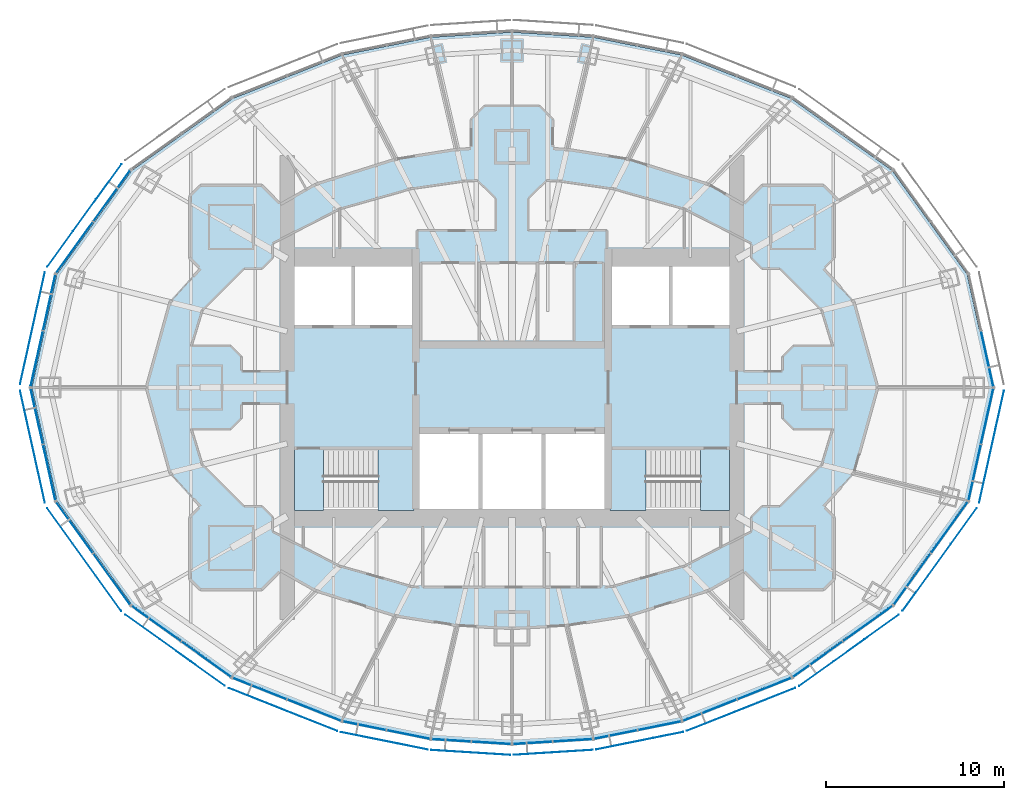
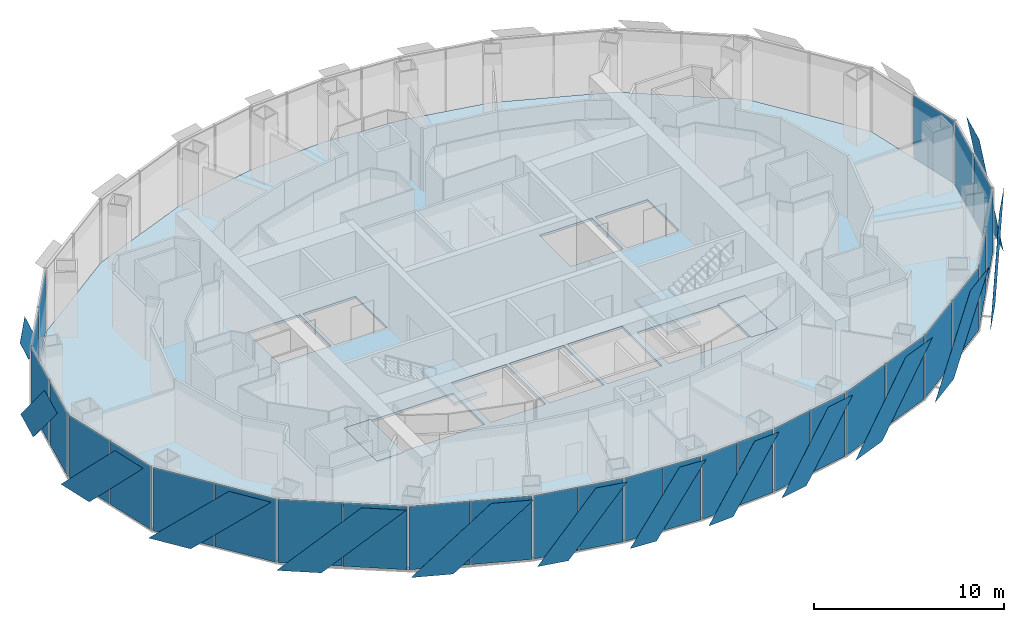
# One storey, part 10 of 18: 43 plates, 5 slabs, 17 elements without a shape of their own.
"""IFC4 building model written with IfcOpenShell, lengths in metres."""

from ifc_helpers import new_model, si_unit, direction, frame, origin, origin_2d, place, context, subcontext, project, spatial, polyline, rectangle, outline, extrude, material, layer, layer_set, type_object, element, aggregate, save


model = new_model("IFC4")

# Units and contexts
model_context = context("Model", 3, precision=1e-05, world=origin(), true_north=direction((0.0, 1.0)))
body_context = subcontext(model_context, "Body", "Model", "MODEL_VIEW")
ifc_project = project(units=[si_unit("LENGTHUNIT", "METRE"), si_unit("AREAUNIT", "SQUARE_METRE"), si_unit("VOLUMEUNIT", "CUBIC_METRE"), si_unit("PLANEANGLEUNIT", "RADIAN"), si_unit("MASSUNIT", "GRAM", prefix="KILO")], contexts=[model_context])

# Site, building, storey
site_placement = place(None, origin())
site = spatial("IfcSite", under=ifc_project, at=site_placement, CompositionType="ELEMENT")
building_placement = place(site_placement, origin())
building = spatial("IfcBuilding", under=site, at=building_placement, Name="Lantaw Convention Tower", CompositionType="ELEMENT")
storey_placement = place(building_placement, frame((0.0, 0.0, 236.800048828125)))
storey = spatial("IfcBuildingStorey", under=building, at=storey_placement, Name="L55", CompositionType="ELEMENT", Elevation=236.800048828125)

# Curtain wall, plate
ifc_material_1 = material(Name="Aluminium framed curtain wall", Category="aluminium")
curtain_wall_type = type_object("IfcCurtainWallType", Name="Office curtain wall high rise, pale aluminium", PredefinedType="USERDEFINED", material=ifc_material_1)
curtain_wall_1_placement = place(storey_placement, origin())
curtain_wall_1 = element("IfcCurtainWall", 1, at=curtain_wall_1_placement, inside=storey, type_object=curtain_wall_type, Name="Office curtain wall high rise, pale aluminium L55", ObjectType="UNITISED CURTAIN WALL", PredefinedType="USERDEFINED")
ifc_material_2 = material(Name="Clear insulating glass", Category="glass")
ifc_layer_1 = layer(ifc_material_2, 0.028076171875)
ifc_layer_set_1 = layer_set([ifc_layer_1], Name="CW-O2 panel 28")
plate_type_1 = type_object("IfcPlateType", Name="CW-O2 panel 28", PredefinedType="CURTAIN_PANEL", material=ifc_layer_set_1)
plate_1_placement = place(storey_placement, frame((26.643798828125, 1.61083984375, -0.0849609375), z_axis=(0.0, 0.0, 1.0), x_axis=(-0.215891333626, 0.976417396437, 0.0)))
plate_1 = element("IfcPlate", 2, at=plate_1_placement, type_object=plate_type_1, Name="CW-O2 panel 1.1", PredefinedType="CURTAIN_PANEL", context=body_context, shape_type="SweptSolid", body=[
    extrude(rectangle(XDim=3.169677734375, YDim=0.028076171875, at=origin_2d()), origin(), (0.0, 0.0, 1.0), 4.070068359375),
])
aggregate(curtain_wall_1, [plate_1])

# Curtain wall, plates
curtain_wall_2_placement = place(storey_placement, origin())
curtain_wall_2 = element("IfcCurtainWall", 3, at=curtain_wall_2_placement, inside=storey, type_object=curtain_wall_type, Name="Office curtain wall high rise, pale aluminium L55", ObjectType="UNITISED CURTAIN WALL", PredefinedType="USERDEFINED")
plate_2_placement = place(storey_placement, frame((-22.4404296875, 10.743896484375, -0.0849609375), z_axis=(0.0, 0.0, 1.0), x_axis=(-0.585157643865, -0.810919559405, 0.0)))
plate_2 = element("IfcPlate", 4, at=plate_2_placement, type_object=plate_type_1, Name="CW-O2 panel 1.1", PredefinedType="CURTAIN_PANEL", context=body_context, shape_type="SweptSolid", body=[
    extrude(rectangle(XDim=3.500732421875, YDim=0.028076171875, at=origin_2d()), origin(), (0.0, 0.0, 1.0), 4.070068359375),
])
plate_3_placement = place(storey_placement, frame((-24.527099609375, 7.852294921875, -0.0849609375), z_axis=(0.0, 0.0, 1.0), x_axis=(-0.585157643865, -0.810919559405, 0.0)))
plate_3 = element("IfcPlate", 5, at=plate_3_placement, type_object=plate_type_1, Name="CW-O2 panel 2.1", PredefinedType="CURTAIN_PANEL", context=body_context, shape_type="SweptSolid", body=[
    extrude(rectangle(XDim=3.500732421875, YDim=0.028076171875, at=origin_2d()), origin(), (0.0, 0.0, 1.0), 4.070068359375),
])
aggregate(curtain_wall_2, [plate_2, plate_3])

curtain_wall_3_placement = place(storey_placement, origin())
curtain_wall_3 = element("IfcCurtainWall", 6, at=curtain_wall_3_placement, inside=storey, type_object=curtain_wall_type, Name="Office curtain wall high rise, pale aluminium L55", ObjectType="UNITISED CURTAIN WALL", PredefinedType="USERDEFINED")
plate_4_placement = place(storey_placement, frame((-25.945556640625, 4.769287109375, -0.0849609375), z_axis=(0.0, 0.0, 1.0), x_axis=(-0.215891333626, -0.976417396437, 0.0)))
plate_4 = element("IfcPlate", 7, at=plate_4_placement, type_object=plate_type_1, Name="CW-O2 panel 1.1", PredefinedType="CURTAIN_PANEL", context=body_context, shape_type="SweptSolid", body=[
    extrude(rectangle(XDim=3.169677734375, YDim=0.028076171875, at=origin_2d()), origin(), (0.0, 0.0, 1.0), 4.070068359375),
])
plate_5_placement = place(storey_placement, frame((-26.643798828125, 1.61083984375, -0.0849609375), z_axis=(0.0, 0.0, 1.0), x_axis=(-0.215891333626, -0.976417396437, 0.0)))
plate_5 = element("IfcPlate", 8, at=plate_5_placement, type_object=plate_type_1, Name="CW-O2 panel 2.1", PredefinedType="CURTAIN_PANEL", context=body_context, shape_type="SweptSolid", body=[
    extrude(rectangle(XDim=3.169677734375, YDim=0.028076171875, at=origin_2d()), origin(), (0.0, 0.0, 1.0), 4.070068359375),
])
aggregate(curtain_wall_3, [plate_4, plate_5])

curtain_wall_4_placement = place(storey_placement, origin())
curtain_wall_4 = element("IfcCurtainWall", 9, at=curtain_wall_4_placement, inside=storey, type_object=curtain_wall_type, Name="Office curtain wall high rise, pale aluminium L55", ObjectType="UNITISED CURTAIN WALL", PredefinedType="USERDEFINED")
plate_6_placement = place(storey_placement, frame((-26.643798828125, -1.61083984375, -0.0849609375), z_axis=(0.0, 0.0, 1.0), x_axis=(0.215891333626, -0.976417396437, 0.0)))
plate_6 = element("IfcPlate", 10, at=plate_6_placement, type_object=plate_type_1, Name="CW-O2 panel 1.1", PredefinedType="CURTAIN_PANEL", context=body_context, shape_type="SweptSolid", body=[
    extrude(rectangle(XDim=3.169677734375, YDim=0.028076171875, at=origin_2d()), origin(), (0.0, 0.0, 1.0), 4.070068359375),
])
plate_7_placement = place(storey_placement, frame((-25.945556640625, -4.769287109375, -0.0849609375), z_axis=(0.0, 0.0, 1.0), x_axis=(0.215891333626, -0.976417396437, 0.0)))
plate_7 = element("IfcPlate", 11, at=plate_7_placement, type_object=plate_type_1, Name="CW-O2 panel 2.1", PredefinedType="CURTAIN_PANEL", context=body_context, shape_type="SweptSolid", body=[
    extrude(rectangle(XDim=3.169677734375, YDim=0.028076171875, at=origin_2d()), origin(), (0.0, 0.0, 1.0), 4.070068359375),
])
aggregate(curtain_wall_4, [plate_6, plate_7])

curtain_wall_5_placement = place(storey_placement, origin())
curtain_wall_5 = element("IfcCurtainWall", 12, at=curtain_wall_5_placement, inside=storey, type_object=curtain_wall_type, Name="Office curtain wall high rise, pale aluminium L55", ObjectType="UNITISED CURTAIN WALL", PredefinedType="USERDEFINED")
plate_8_placement = place(storey_placement, frame((-24.527099609375, -7.852294921875, -0.0849609375), z_axis=(0.0, 0.0, 1.0), x_axis=(0.585157643865, -0.810919559405, 0.0)))
plate_8 = element("IfcPlate", 13, at=plate_8_placement, type_object=plate_type_1, Name="CW-O2 panel 1.1", PredefinedType="CURTAIN_PANEL", context=body_context, shape_type="SweptSolid", body=[
    extrude(rectangle(XDim=3.500732421875, YDim=0.028076171875, at=origin_2d()), origin(), (0.0, 0.0, 1.0), 4.070068359375),
])
plate_9_placement = place(storey_placement, frame((-22.4404296875, -10.743896484375, -0.0849609375), z_axis=(0.0, 0.0, 1.0), x_axis=(0.585157643865, -0.810919559405, 0.0)))
plate_9 = element("IfcPlate", 14, at=plate_9_placement, type_object=plate_type_1, Name="CW-O2 panel 2.1", PredefinedType="CURTAIN_PANEL", context=body_context, shape_type="SweptSolid", body=[
    extrude(rectangle(XDim=3.500732421875, YDim=0.028076171875, at=origin_2d()), origin(), (0.0, 0.0, 1.0), 4.070068359375),
])
aggregate(curtain_wall_5, [plate_8, plate_9])

curtain_wall_6_placement = place(storey_placement, origin())
curtain_wall_6 = element("IfcCurtainWall", 15, at=curtain_wall_6_placement, inside=storey, type_object=curtain_wall_type, Name="Office curtain wall high rise, pale aluminium L55", ObjectType="UNITISED CURTAIN WALL", PredefinedType="USERDEFINED")
plate_10_placement = place(storey_placement, frame((-19.947509765625, -13.23828125, -0.0849609375), z_axis=(0.0, 0.0, 1.0), x_axis=(0.813672540482, -0.581323487281, 0.0)))
plate_10 = element("IfcPlate", 16, at=plate_10_placement, type_object=plate_type_1, Name="CW-O2 panel 1.1", PredefinedType="CURTAIN_PANEL", context=body_context, shape_type="SweptSolid", body=[
    extrude(rectangle(XDim=3.386474609375, YDim=0.028076171875, at=origin_2d()), origin(), (0.0, 0.0, 1.0), 4.070068359375),
])
plate_11_placement = place(storey_placement, frame((-17.13916015625, -15.24462890625, -0.0849609375), z_axis=(0.0, 0.0, 1.0), x_axis=(0.813672540482, -0.581323487281, 0.0)))
plate_11 = element("IfcPlate", 17, at=plate_11_placement, type_object=plate_type_1, Name="CW-O2 panel 2.1", PredefinedType="CURTAIN_PANEL", context=body_context, shape_type="SweptSolid", body=[
    extrude(rectangle(XDim=3.386474609375, YDim=0.028076171875, at=origin_2d()), origin(), (0.0, 0.0, 1.0), 4.070068359375),
])
aggregate(curtain_wall_6, [plate_10, plate_11])

curtain_wall_7_placement = place(storey_placement, origin())
curtain_wall_7 = element("IfcCurtainWall", 18, at=curtain_wall_7_placement, inside=storey, type_object=curtain_wall_type, Name="Office curtain wall high rise, pale aluminium L55", ObjectType="UNITISED CURTAIN WALL", PredefinedType="USERDEFINED")
plate_12_placement = place(storey_placement, frame((-14.14990234375, -16.8837890625, -0.0849609375), z_axis=(0.0, 0.0, 1.0), x_axis=(0.929761533743, -0.368162315252, 0.0)))
plate_12 = element("IfcPlate", 19, at=plate_12_placement, type_object=plate_type_1, Name="CW-O2 panel 1.1", PredefinedType="CURTAIN_PANEL", context=body_context, shape_type="SweptSolid", body=[
    extrude(rectangle(XDim=3.222900390625, YDim=0.028076171875, at=origin_2d()), origin(), (0.0, 0.0, 1.0), 4.070068359375),
])
plate_13_placement = place(storey_placement, frame((-11.0927734375, -18.094482421875, -0.0849609375), z_axis=(0.0, 0.0, 1.0), x_axis=(0.929761533743, -0.368162315252, 0.0)))
plate_13 = element("IfcPlate", 20, at=plate_13_placement, type_object=plate_type_1, Name="CW-O2 panel 2.1", PredefinedType="CURTAIN_PANEL", context=body_context, shape_type="SweptSolid", body=[
    extrude(rectangle(XDim=3.222900390625, YDim=0.028076171875, at=origin_2d()), origin(), (0.0, 0.0, 1.0), 4.070068359375),
])
aggregate(curtain_wall_7, [plate_12, plate_13])

curtain_wall_8_placement = place(storey_placement, origin())
curtain_wall_8 = element("IfcCurtainWall", 21, at=curtain_wall_8_placement, inside=storey, type_object=curtain_wall_type, Name="Office curtain wall high rise, pale aluminium L55", ObjectType="UNITISED CURTAIN WALL", PredefinedType="USERDEFINED")
plate_14_placement = place(storey_placement, frame((-8.2724609375, -18.96533203125, -0.0849609375), z_axis=(0.0, 0.0, 1.0), x_axis=(0.980366679695, -0.197183095987, 0.0)))
plate_14 = element("IfcPlate", 22, at=plate_14_placement, type_object=plate_type_1, Name="CW-O2 panel 1.1", PredefinedType="CURTAIN_PANEL", context=body_context, shape_type="SweptSolid", body=[
    extrude(rectangle(XDim=2.44384765625, YDim=0.028076171875, at=origin_2d()), origin(), (0.0, 0.0, 1.0), 4.070068359375),
])
plate_15_placement = place(storey_placement, frame((-5.81298828125, -19.4599609375, -0.0849609375), z_axis=(0.0, 0.0, 1.0), x_axis=(0.980366679695, -0.197183095987, 0.0)))
plate_15 = element("IfcPlate", 23, at=plate_15_placement, type_object=plate_type_1, Name="CW-O2 panel 2.1", PredefinedType="CURTAIN_PANEL", context=body_context, shape_type="SweptSolid", body=[
    extrude(rectangle(XDim=2.44384765625, YDim=0.028076171875, at=origin_2d()), origin(), (0.0, 0.0, 1.0), 4.070068359375),
])
aggregate(curtain_wall_8, [plate_14, plate_15])

curtain_wall_9_placement = place(storey_placement, origin())
curtain_wall_9 = element("IfcCurtainWall", 24, at=curtain_wall_9_placement, inside=storey, type_object=curtain_wall_type, Name="Office curtain wall high rise, pale aluminium L55", ObjectType="UNITISED CURTAIN WALL", PredefinedType="USERDEFINED")
plate_16_placement = place(storey_placement, frame((-3.397216796875, -19.786376953125, -0.0849609375), z_axis=(0.0, 0.0, 1.0), x_axis=(0.998028774865, -0.062757983884, 0.0)))
plate_16 = element("IfcPlate", 25, at=plate_16_placement, type_object=plate_type_1, Name="CW-O2 panel 1.1", PredefinedType="CURTAIN_PANEL", context=body_context, shape_type="SweptSolid", body=[
    extrude(rectangle(XDim=2.1826171875, YDim=0.028076171875, at=origin_2d()), origin(), (0.0, 0.0, 1.0), 4.070068359375),
])
plate_17_placement = place(storey_placement, frame((-1.154052734375, -19.927490234375, -0.0849609375), z_axis=(0.0, 0.0, 1.0), x_axis=(0.998028774865, -0.062757983884, 0.0)))
plate_17 = element("IfcPlate", 26, at=plate_17_placement, type_object=plate_type_1, Name="CW-O2 panel 2.1", PredefinedType="CURTAIN_PANEL", context=body_context, shape_type="SweptSolid", body=[
    extrude(rectangle(XDim=2.1826171875, YDim=0.028076171875, at=origin_2d()), origin(), (0.0, 0.0, 1.0), 4.070068359375),
])
aggregate(curtain_wall_9, [plate_16, plate_17])

curtain_wall_10_placement = place(storey_placement, origin())
curtain_wall_10 = element("IfcCurtainWall", 27, at=curtain_wall_10_placement, inside=storey, type_object=curtain_wall_type, Name="Office curtain wall high rise, pale aluminium L55", ObjectType="UNITISED CURTAIN WALL", PredefinedType="USERDEFINED")
plate_18_placement = place(storey_placement, frame((1.154052734375, -19.927490234375, -0.0849609375), z_axis=(0.0, 0.0, 1.0), x_axis=(0.998028774865, 0.062757983884, 0.0)))
plate_18 = element("IfcPlate", 28, at=plate_18_placement, type_object=plate_type_1, Name="CW-O2 panel 1.1", PredefinedType="CURTAIN_PANEL", context=body_context, shape_type="SweptSolid", body=[
    extrude(rectangle(XDim=2.1826171875, YDim=0.028076171875, at=origin_2d()), origin(), (0.0, 0.0, 1.0), 4.070068359375),
])
plate_19_placement = place(storey_placement, frame((3.397216796875, -19.786376953125, -0.0849609375), z_axis=(0.0, 0.0, 1.0), x_axis=(0.998028774865, 0.062757983884, 0.0)))
plate_19 = element("IfcPlate", 29, at=plate_19_placement, type_object=plate_type_1, Name="CW-O2 panel 2.1", PredefinedType="CURTAIN_PANEL", context=body_context, shape_type="SweptSolid", body=[
    extrude(rectangle(XDim=2.1826171875, YDim=0.028076171875, at=origin_2d()), origin(), (0.0, 0.0, 1.0), 4.070068359375),
])
aggregate(curtain_wall_10, [plate_18, plate_19])

curtain_wall_11_placement = place(storey_placement, origin())
curtain_wall_11 = element("IfcCurtainWall", 30, at=curtain_wall_11_placement, inside=storey, type_object=curtain_wall_type, Name="Office curtain wall high rise, pale aluminium L55", ObjectType="UNITISED CURTAIN WALL", PredefinedType="USERDEFINED")
plate_20_placement = place(storey_placement, frame((5.81298828125, -19.4599609375, -0.0849609375), z_axis=(0.0, 0.0, 1.0), x_axis=(0.980366679695, 0.197183095987, 0.0)))
plate_20 = element("IfcPlate", 31, at=plate_20_placement, type_object=plate_type_1, Name="CW-O2 panel 1.1", PredefinedType="CURTAIN_PANEL", context=body_context, shape_type="SweptSolid", body=[
    extrude(rectangle(XDim=2.44384765625, YDim=0.028076171875, at=origin_2d()), origin(), (0.0, 0.0, 1.0), 4.070068359375),
])
plate_21_placement = place(storey_placement, frame((8.2724609375, -18.96533203125, -0.0849609375), z_axis=(0.0, 0.0, 1.0), x_axis=(0.980366679695, 0.197183095987, 0.0)))
plate_21 = element("IfcPlate", 32, at=plate_21_placement, type_object=plate_type_1, Name="CW-O2 panel 2.1", PredefinedType="CURTAIN_PANEL", context=body_context, shape_type="SweptSolid", body=[
    extrude(rectangle(XDim=2.44384765625, YDim=0.028076171875, at=origin_2d()), origin(), (0.0, 0.0, 1.0), 4.070068359375),
])
aggregate(curtain_wall_11, [plate_20, plate_21])

curtain_wall_12_placement = place(storey_placement, origin())
curtain_wall_12 = element("IfcCurtainWall", 33, at=curtain_wall_12_placement, inside=storey, type_object=curtain_wall_type, Name="Office curtain wall high rise, pale aluminium L55", ObjectType="UNITISED CURTAIN WALL", PredefinedType="USERDEFINED")
plate_22_placement = place(storey_placement, frame((11.0927734375, -18.094482421875, -0.0849609375), z_axis=(0.0, 0.0, 1.0), x_axis=(0.929761533743, 0.368162315252, 0.0)))
plate_22 = element("IfcPlate", 34, at=plate_22_placement, type_object=plate_type_1, Name="CW-O2 panel 1.1", PredefinedType="CURTAIN_PANEL", context=body_context, shape_type="SweptSolid", body=[
    extrude(rectangle(XDim=3.222900390625, YDim=0.028076171875, at=origin_2d()), origin(), (0.0, 0.0, 1.0), 4.070068359375),
])
plate_23_placement = place(storey_placement, frame((14.14990234375, -16.8837890625, -0.0849609375), z_axis=(0.0, 0.0, 1.0), x_axis=(0.929761533743, 0.368162315252, 0.0)))
plate_23 = element("IfcPlate", 35, at=plate_23_placement, type_object=plate_type_1, Name="CW-O2 panel 2.1", PredefinedType="CURTAIN_PANEL", context=body_context, shape_type="SweptSolid", body=[
    extrude(rectangle(XDim=3.222900390625, YDim=0.028076171875, at=origin_2d()), origin(), (0.0, 0.0, 1.0), 4.070068359375),
])
aggregate(curtain_wall_12, [plate_22, plate_23])

curtain_wall_13_placement = place(storey_placement, origin())
curtain_wall_13 = element("IfcCurtainWall", 36, at=curtain_wall_13_placement, inside=storey, type_object=curtain_wall_type, Name="Office curtain wall high rise, pale aluminium L55", ObjectType="UNITISED CURTAIN WALL", PredefinedType="USERDEFINED")
plate_24_placement = place(storey_placement, frame((17.13916015625, -15.24462890625, -0.0849609375), z_axis=(0.0, 0.0, 1.0), x_axis=(0.813672540482, 0.581323487281, 0.0)))
plate_24 = element("IfcPlate", 37, at=plate_24_placement, type_object=plate_type_1, Name="CW-O2 panel 1.1", PredefinedType="CURTAIN_PANEL", context=body_context, shape_type="SweptSolid", body=[
    extrude(rectangle(XDim=3.386474609375, YDim=0.028076171875, at=origin_2d()), origin(), (0.0, 0.0, 1.0), 4.070068359375),
])
plate_25_placement = place(storey_placement, frame((19.947509765625, -13.23828125, -0.0849609375), z_axis=(0.0, 0.0, 1.0), x_axis=(0.813672540482, 0.581323487281, 0.0)))
plate_25 = element("IfcPlate", 38, at=plate_25_placement, type_object=plate_type_1, Name="CW-O2 panel 2.1", PredefinedType="CURTAIN_PANEL", context=body_context, shape_type="SweptSolid", body=[
    extrude(rectangle(XDim=3.386474609375, YDim=0.028076171875, at=origin_2d()), origin(), (0.0, 0.0, 1.0), 4.070068359375),
])
aggregate(curtain_wall_13, [plate_24, plate_25])

curtain_wall_14_placement = place(storey_placement, origin())
curtain_wall_14 = element("IfcCurtainWall", 39, at=curtain_wall_14_placement, inside=storey, type_object=curtain_wall_type, Name="Office curtain wall high rise, pale aluminium L55", ObjectType="UNITISED CURTAIN WALL", PredefinedType="USERDEFINED")
plate_26_placement = place(storey_placement, frame((22.4404296875, -10.743896484375, -0.0849609375), z_axis=(0.0, 0.0, 1.0), x_axis=(0.585157643865, 0.810919559405, 0.0)))
plate_26 = element("IfcPlate", 40, at=plate_26_placement, type_object=plate_type_1, Name="CW-O2 panel 1.1", PredefinedType="CURTAIN_PANEL", context=body_context, shape_type="SweptSolid", body=[
    extrude(rectangle(XDim=3.500732421875, YDim=0.028076171875, at=origin_2d()), origin(), (0.0, 0.0, 1.0), 4.070068359375),
])
plate_27_placement = place(storey_placement, frame((24.527099609375, -7.852294921875, -0.0849609375), z_axis=(0.0, 0.0, 1.0), x_axis=(0.585157643865, 0.810919559405, 0.0)))
plate_27 = element("IfcPlate", 41, at=plate_27_placement, type_object=plate_type_1, Name="CW-O2 panel 2.1", PredefinedType="CURTAIN_PANEL", context=body_context, shape_type="SweptSolid", body=[
    extrude(rectangle(XDim=3.500732421875, YDim=0.028076171875, at=origin_2d()), origin(), (0.0, 0.0, 1.0), 4.070068359375),
])
aggregate(curtain_wall_14, [plate_26, plate_27])

curtain_wall_15_placement = place(storey_placement, origin())
curtain_wall_15 = element("IfcCurtainWall", 42, at=curtain_wall_15_placement, inside=storey, type_object=curtain_wall_type, Name="Office curtain wall high rise, pale aluminium L55", ObjectType="UNITISED CURTAIN WALL", PredefinedType="USERDEFINED")
plate_28_placement = place(storey_placement, frame((25.945556640625, -4.769287109375, -0.0849609375), z_axis=(0.0, 0.0, 1.0), x_axis=(0.215891333626, 0.976417396437, 0.0)))
plate_28 = element("IfcPlate", 43, at=plate_28_placement, type_object=plate_type_1, Name="CW-O2 panel 1.1", PredefinedType="CURTAIN_PANEL", context=body_context, shape_type="SweptSolid", body=[
    extrude(rectangle(XDim=3.169677734375, YDim=0.028076171875, at=origin_2d()), origin(), (0.0, 0.0, 1.0), 4.070068359375),
])
plate_29_placement = place(storey_placement, frame((26.643798828125, -1.61083984375, -0.0849609375), z_axis=(0.0, 0.0, 1.0), x_axis=(0.215891333626, 0.976417396437, 0.0)))
plate_29 = element("IfcPlate", 44, at=plate_29_placement, type_object=plate_type_1, Name="CW-O2 panel 2.1", PredefinedType="CURTAIN_PANEL", context=body_context, shape_type="SweptSolid", body=[
    extrude(rectangle(XDim=3.169677734375, YDim=0.028076171875, at=origin_2d()), origin(), (0.0, 0.0, 1.0), 4.070068359375),
])
aggregate(curtain_wall_15, [plate_28, plate_29])

# Slab
ifc_material_3 = material(Name="Concrete C35/45", Category="concrete")
ifc_layer_2 = layer(ifc_material_3, 0.14990234375)
ifc_layer_set_2 = layer_set([ifc_layer_2], Name="Floor slab 150")
slab_type_1 = type_object("IfcSlabType", Name="Floor slab 150", PredefinedType="FLOOR", material=ifc_layer_set_2)
slab_1_placement = place(storey_placement, frame((0.0, 0.0, -0.150146484375)))
element("IfcSlab", 45, at=slab_1_placement, inside=storey, type_object=slab_type_1, Name="L55 floor slab", PredefinedType="FLOOR", context=body_context, shape_type="SweptSolid", body=[
    extrude(outline(polyline([(25.51953125, -6.348876953125), (26.923095703125, 0.0), (25.51953125, 6.348876953125), (21.324462890625, 12.162109375), (15.67236328125, 16.2001953125), (9.5126953125, 18.639404296875), (4.54150390625, 19.63916015625), (0.0, 19.9248046875), (-4.54150390625, 19.63916015625), (-9.5126953125, 18.639404296875), (-15.67236328125, 16.2001953125), (-21.324462890625, 12.162109375), (-25.51953125, 6.348876953125), (-26.923095703125, 0.0), (-25.51953125, -6.348876953125), (-21.324462890625, -12.162109375), (-15.67236328125, -16.2001953125), (-9.5126953125, -18.639404296875), (-4.54150390625, -19.63916015625), (0.0, -19.9248046875), (4.54150390625, -19.63916015625), (9.5126953125, -18.639404296875), (15.67236328125, -16.2001953125), (21.324462890625, -12.162109375), (25.51953125, -6.348876953125)]), holes=[polyline([(-5.60009765625, -3.5), (-12.199951171875, -3.5), (-12.199951171875, -6.800048828125), (-5.60009765625, -6.800048828125), (-5.60009765625, -3.5)]), polyline([(12.199951171875, -3.5), (5.60009765625, -3.5), (5.60009765625, -6.800048828125), (12.199951171875, -6.800048828125), (12.199951171875, -3.5)]), polyline([(-1.86669921875, -2.60009765625), (-5.199951171875, -2.60009765625), (-5.199951171875, -6.800048828125), (-1.86669921875, -6.800048828125), (-1.86669921875, -2.60009765625)]), polyline([(1.666748046875, -2.60009765625), (-1.666748046875, -2.60009765625), (-1.666748046875, -6.800048828125), (1.666748046875, -6.800048828125), (1.666748046875, -2.60009765625)]), polyline([(5.199951171875, -2.60009765625), (1.86669921875, -2.60009765625), (1.86669921875, -6.800048828125), (5.199951171875, -6.800048828125), (5.199951171875, -2.60009765625)]), polyline([(-9.0, 6.800048828125), (-12.199951171875, 6.800048828125), (-12.199951171875, 3.5), (-9.0, 3.5), (-9.0, 6.800048828125)]), polyline([(-5.60009765625, 6.800048828125), (-8.800048828125, 6.800048828125), (-8.800048828125, 3.5), (-5.60009765625, 3.5), (-5.60009765625, 6.800048828125)]), polyline([(8.800048828125, 3.5), (8.800048828125, 6.800048828125), (5.60009765625, 6.800048828125), (5.60009765625, 3.5), (8.800048828125, 3.5)]), polyline([(12.199951171875, 3.5), (12.199951171875, 6.800048828125), (9.0, 6.800048828125), (9.0, 3.5), (12.199951171875, 3.5)])]), origin(), (0.0, 0.0, 1.0), 0.150146484375),
])

# Plates
ifc_material_4 = material(Name="Perforated aluminium sheet, pale silver finish", Category="aluminium")
ifc_layer_3 = layer(ifc_material_4, 0.006103515625)
ifc_layer_set_3 = layer_set([ifc_layer_3], Name="Perforated aluminium solar SCREEN panel")
plate_type_2 = type_object("IfcPlateType", Name="Perforated aluminium solar SCREEN panel", PredefinedType="SHEET", material=ifc_layer_set_3)
plate_30_placement = place(storey_placement, frame((-21.898681640625, 12.530029296875, -0.175048828125), z_axis=(-0.810892289695, 0.585195432394, 2.0458414e-05), x_axis=(-0.585195432516, -0.810892289865, 0.0)))
element("IfcPlate", 46, at=plate_30_placement, inside=storey, type_object=plate_type_2, Name="Solar SCREEN panel", PredefinedType="SHEET", context=body_context, shape_type="SweptSolid", body=[
    extrude(outline(polyline([(0.0, 0.0), (2.446848840683286, -6.776263578034403e-21), (7.09661046667572, 4.340087891533265), (4.649761625992435, 4.340087891533265), (0.0, 0.0)])), origin(), (0.0, 0.0, -1.0), 0.006103515625),
])
plate_31_placement = place(storey_placement, frame((-26.19189453125, 6.462158203125, -0.175048828125), z_axis=(0.976429511424, -0.215836529031, 4.4219438e-05), x_axis=(-0.215836529242, -0.976429512379, 0.0)))
element("IfcPlate", 47, at=plate_31_placement, inside=storey, type_object=plate_type_2, Name="Solar SCREEN panel", PredefinedType="SHEET", context=body_context, shape_type="SweptSolid", body=[
    extrude(outline(polyline([(0.0, 0.0), (2.2215525295212517, 3.3881317890172014e-21), (6.4341686174090675, -4.340087894868215), (4.212616087887817, -4.340087894868215), (0.0, 0.0)])), origin(), (0.0, 0.0, -1.0), 0.006103515625),
])
plate_32_placement = place(storey_placement, frame((-27.580810546875, -0.1796875, -0.175048828125), z_axis=(-0.976429511424, -0.215836529031, 4.4219438e-05), x_axis=(0.215836529242, -0.976429512379, 0.0)))
element("IfcPlate", 48, at=plate_32_placement, inside=storey, type_object=plate_type_2, Name="Solar SCREEN panel", PredefinedType="SHEET", context=body_context, shape_type="SweptSolid", body=[
    extrude(outline(polyline([(0.0, 0.0), (2.2215525295212517, -3.3881317890172014e-21), (6.4341686174090675, 4.340087894868215), (4.212616087887817, 4.340087894868215), (0.0, 0.0)])), origin(), (0.0, 0.0, -1.0), 0.006103515625),
])
plate_33_placement = place(storey_placement, frame((-26.051513671875, -6.775390625, -0.175048828125), z_axis=(0.810892289695, 0.585195432394, 2.0458414e-05), x_axis=(0.585195432516, -0.810892289865, 0.0)))
element("IfcPlate", 49, at=plate_33_placement, inside=storey, type_object=plate_type_2, Name="Solar SCREEN panel", PredefinedType="SHEET", context=body_context, shape_type="SweptSolid", body=[
    extrude(outline(polyline([(0.0, 0.0), (2.446848840683286, 6.776263578034403e-21), (7.09661046667572, -4.340087891533265), (4.649761625992435, -4.340087891533265), (0.0, 0.0)])), origin(), (0.0, 0.0, -1.0), 0.006103515625),
])
plate_34_placement = place(storey_placement, frame((-21.689697265625, -12.73828125, -0.175048828125), z_axis=(-0.581330799771, -0.813667316006, 1.0072414e-05), x_axis=(0.813667316047, -0.5813307998, 3.02e-10)))
element("IfcPlate", 50, at=plate_34_placement, inside=storey, type_object=plate_type_2, Name="Solar SCREEN panel", PredefinedType="SHEET", context=body_context, shape_type="SweptSolid", body=[
    extrude(outline(polyline([(0.0, 0.0), (2.3691416428668504, 0.0), (6.867806096558412, 4.34008788877314), (4.498863102938644, 4.340087890202622), (0.0, 0.0)])), origin(), (0.0, 0.0, -1.0), 0.006103515625),
])
plate_35_placement = place(storey_placement, frame((-15.88525390625, -16.8486328125, -0.175048828125), z_axis=(0.368116612072, 0.929779629081, 3.5533269e-05), x_axis=(0.929779629668, -0.368116612304, -1.786e-09)))
element("IfcPlate", 51, at=plate_35_placement, inside=storey, type_object=plate_type_2, Name="Solar SCREEN panel", PredefinedType="SHEET", context=body_context, shape_type="SweptSolid", body=[
    extrude(outline(polyline([(0.0, 0.0), (2.2578720663572183, -3.3881317890172014e-21), (6.540904465438181, -4.340087905048178), (4.282942526861161, -4.340087896982072), (0.0, 0.0)])), origin(), (0.0, 0.0, -1.0), 0.006103515625),
])
plate_36_placement = place(storey_placement, frame((-9.6044921875, -19.315673828125, -0.175048828125), z_axis=(0.197162069853, 0.980370908428, 1.0904083e-05), x_axis=(0.980370908486, -0.197162069865, -7.55e-10)))
element("IfcPlate", 52, at=plate_36_placement, inside=storey, type_object=plate_type_2, Name="Solar SCREEN panel", PredefinedType="SHEET", context=body_context, shape_type="SweptSolid", body=[
    extrude(outline(polyline([(0.0, 0.0), (1.7279870169553606, 8.470329472543003e-22), (4.982578440602753, -4.340087894645749), (3.2545432883764285, -4.340087892035838), (0.0, 0.0)])), origin(), (0.0, 0.0, -1.0), 0.006103515625),
])
plate_37_placement = place(storey_placement, frame((-4.539306640625, -20.32177734375, -0.175048828125), z_axis=(0.062672387577, 0.998034151922, 5.858668e-05), x_axis=(0.998034153635, -0.062672387685, 0.0)))
element("IfcPlate", 53, at=plate_37_placement, inside=storey, type_object=plate_type_2, Name="Solar SCREEN panel", PredefinedType="SHEET", context=body_context, shape_type="SweptSolid", body=[
    extrude(outline(polyline([(0.0, 0.0), (1.5504111513762302, 8.470329472543003e-22), (4.460200019412434, -4.340087898073457), (2.9097888680362036, -4.340087898073457), (0.0, 0.0)])), origin(), (0.0, 0.0, -1.0), 0.006103515625),
])
plate_38_placement = place(storey_placement, frame((0.087890625, -20.6015625, -0.175048828125), z_axis=(0.062672387577, -0.998034151922, 5.858668e-05), x_axis=(0.998034153635, 0.062672387685, 0.0)))
element("IfcPlate", 54, at=plate_38_placement, inside=storey, type_object=plate_type_2, Name="Solar SCREEN panel", PredefinedType="SHEET", context=body_context, shape_type="SweptSolid", body=[
    extrude(outline(polyline([(0.0, 0.0), (1.5504111513762302, -8.470329472543003e-22), (4.460200019412434, 4.340087898073457), (2.9097888680362036, 4.340087898073457), (0.0, 0.0)])), origin(), (0.0, 0.0, -1.0), 0.006103515625),
])
plate_39_placement = place(storey_placement, frame((4.7197265625, -20.298095703125, -0.175048828125), z_axis=(0.197162069853, -0.980370908428, 1.0904083e-05), x_axis=(0.980370908486, 0.197162069865, 7.55e-10)))
element("IfcPlate", 55, at=plate_39_placement, inside=storey, type_object=plate_type_2, Name="Solar SCREEN panel", PredefinedType="SHEET", context=body_context, shape_type="SweptSolid", body=[
    extrude(outline(polyline([(0.0, 0.0), (1.7280351522263238, 4.235164736271502e-22), (4.982578447157737, 4.34008788712039), (3.2545914302023755, 4.340087889730228), (0.0, 0.0)])), origin(), (0.0, 0.0, -1.0), 0.006103515625),
])
plate_40_placement = place(storey_placement, frame((9.8037109375, -19.256591796875, -0.175048828125), z_axis=(0.368116612072, -0.929779629081, 3.5533269e-05), x_axis=(0.929779629668, 0.368116612304, 1.786e-09)))
element("IfcPlate", 56, at=plate_40_placement, inside=storey, type_object=plate_type_2, Name="Solar SCREEN panel", PredefinedType="SHEET", context=body_context, shape_type="SweptSolid", body=[
    extrude(outline(polyline([(0.0, 0.0), (2.257961938577019, 0.0), (6.540904480942253, 4.34008788168214), (4.283032414585035, 4.340087889747925), (0.0, 0.0)])), origin(), (0.0, 0.0, -1.0), 0.006103515625),
])
plate_41_placement = place(storey_placement, frame((16.1015625, -16.730712890625, -0.175048828125), z_axis=(-0.581330799771, 0.813667316006, 1.0072414e-05), x_axis=(0.813667316047, 0.5813307998, -3.02e-10)))
element("IfcPlate", 57, at=plate_41_placement, inside=storey, type_object=plate_type_2, Name="Solar SCREEN panel", PredefinedType="SHEET", context=body_context, shape_type="SweptSolid", body=[
    extrude(outline(polyline([(0.0, 0.0), (2.3689429936197683, -1.6940658945086007e-21), (6.867806093939489, -4.340087892917353), (4.498664451072639, -4.340087891487751), (0.0, 0.0)])), origin(), (0.0, 0.0, -1.0), 0.006103515625),
])
plate_42_placement = place(storey_placement, frame((21.898681640625, -12.530029296875, -0.175048828125), z_axis=(0.810892289695, -0.585195432394, 2.0458414e-05), x_axis=(0.585195432516, 0.810892289865, 0.0)))
element("IfcPlate", 58, at=plate_42_placement, inside=storey, type_object=plate_type_2, Name="Solar SCREEN panel", PredefinedType="SHEET", context=body_context, shape_type="SweptSolid", body=[
    extrude(outline(polyline([(0.0, 0.0), (2.446848840683286, -6.776263578034403e-21), (7.09661046667572, 4.340087891533265), (4.649761625992435, 4.340087891533265), (0.0, 0.0)])), origin(), (0.0, 0.0, -1.0), 0.006103515625),
])
plate_43_placement = place(storey_placement, frame((26.19189453125, -6.462158203125, -0.175048828125), z_axis=(-0.976429511424, 0.215836529031, 4.4219438e-05), x_axis=(0.215836529242, 0.976429512379, 0.0)))
element("IfcPlate", 59, at=plate_43_placement, inside=storey, type_object=plate_type_2, Name="Solar SCREEN panel", PredefinedType="SHEET", context=body_context, shape_type="SweptSolid", body=[
    extrude(outline(polyline([(0.0, 0.0), (2.2215525295212517, 3.3881317890172014e-21), (6.4341686174090675, -4.340087894868215), (4.212616087887817, -4.340087894868215), (0.0, 0.0)])), origin(), (0.0, 0.0, -1.0), 0.006103515625),
])

# Stair, slabs
stair_type = type_object("IfcStairType", Name="Exit stair 1500 riser 175 in 2 flights", PredefinedType="HALF_TURN_STAIR", material=ifc_material_3)
stair_1_placement = place(storey_placement, origin())
stair_1 = element("IfcStair", 60, at=stair_1_placement, inside=storey, type_object=stair_type, Name="Exit stair S1 L55", PredefinedType="HALF_TURN_STAIR")
ifc_layer_4 = layer(ifc_material_3, 0.199951171875)
ifc_layer_set_4 = layer_set([ifc_layer_4], Name="Stair landing 200")
slab_type_2 = type_object("IfcSlabType", Name="Stair landing 200", PredefinedType="LANDING", material=ifc_layer_set_4)
slab_2_placement = place(storey_placement, frame((0.0, 0.0, -0.199951171875)))
slab_2 = element("IfcSlab", 61, at=slab_2_placement, type_object=slab_type_2, Name="S1 landing 1", PredefinedType="LANDING", context=body_context, shape_type="SweptSolid", body=[
    extrude(outline(polyline([(-12.199951171875, -6.89990234375), (-10.580078125, -6.89990234375), (-10.580078125, -3.39990234375), (-12.199951171875, -3.39990234375), (-12.199951171875, -6.89990234375)])), origin(), (0.0, 0.0, 1.0), 0.199951171875),
])
slab_3_placement = place(storey_placement, frame((0.0, 0.0, 1.89990234375)))
slab_3 = element("IfcSlab", 62, at=slab_3_placement, type_object=slab_type_2, Name="S1 landing 2", PredefinedType="LANDING", context=body_context, shape_type="SweptSolid", body=[
    extrude(outline(polyline([(-7.5, -6.89990234375), (-5.5, -6.89990234375), (-5.5, -3.39990234375), (-7.5, -3.39990234375), (-7.5, -6.89990234375)])), origin(), (0.0, 0.0, 1.0), 0.199951171875),
])
aggregate(stair_1, [slab_2, slab_3])

stair_2_placement = place(storey_placement, origin())
stair_2 = element("IfcStair", 63, at=stair_2_placement, inside=storey, type_object=stair_type, Name="Exit stair S2 L55", PredefinedType="HALF_TURN_STAIR")
slab_4_placement = place(storey_placement, frame((0.0, 0.0, -0.199951171875)))
slab_4 = element("IfcSlab", 64, at=slab_4_placement, type_object=slab_type_2, Name="S2 landing 1", PredefinedType="LANDING", context=body_context, shape_type="SweptSolid", body=[
    extrude(outline(polyline([(10.580078125, -6.89990234375), (12.199951171875, -6.89990234375), (12.199951171875, -3.39990234375), (10.580078125, -3.39990234375), (10.580078125, -6.89990234375)])), origin(), (0.0, 0.0, 1.0), 0.199951171875),
])
slab_5_placement = place(storey_placement, frame((0.0, 0.0, 1.89990234375)))
slab_5 = element("IfcSlab", 65, at=slab_5_placement, type_object=slab_type_2, Name="S2 landing 2", PredefinedType="LANDING", context=body_context, shape_type="SweptSolid", body=[
    extrude(outline(polyline([(5.5, -6.89990234375), (7.5, -6.89990234375), (7.5, -3.39990234375), (5.5, -3.39990234375), (5.5, -6.89990234375)])), origin(), (0.0, 0.0, 1.0), 0.199951171875),
])
aggregate(stair_2, [slab_4, slab_5])

save(model, "model.ifc")
